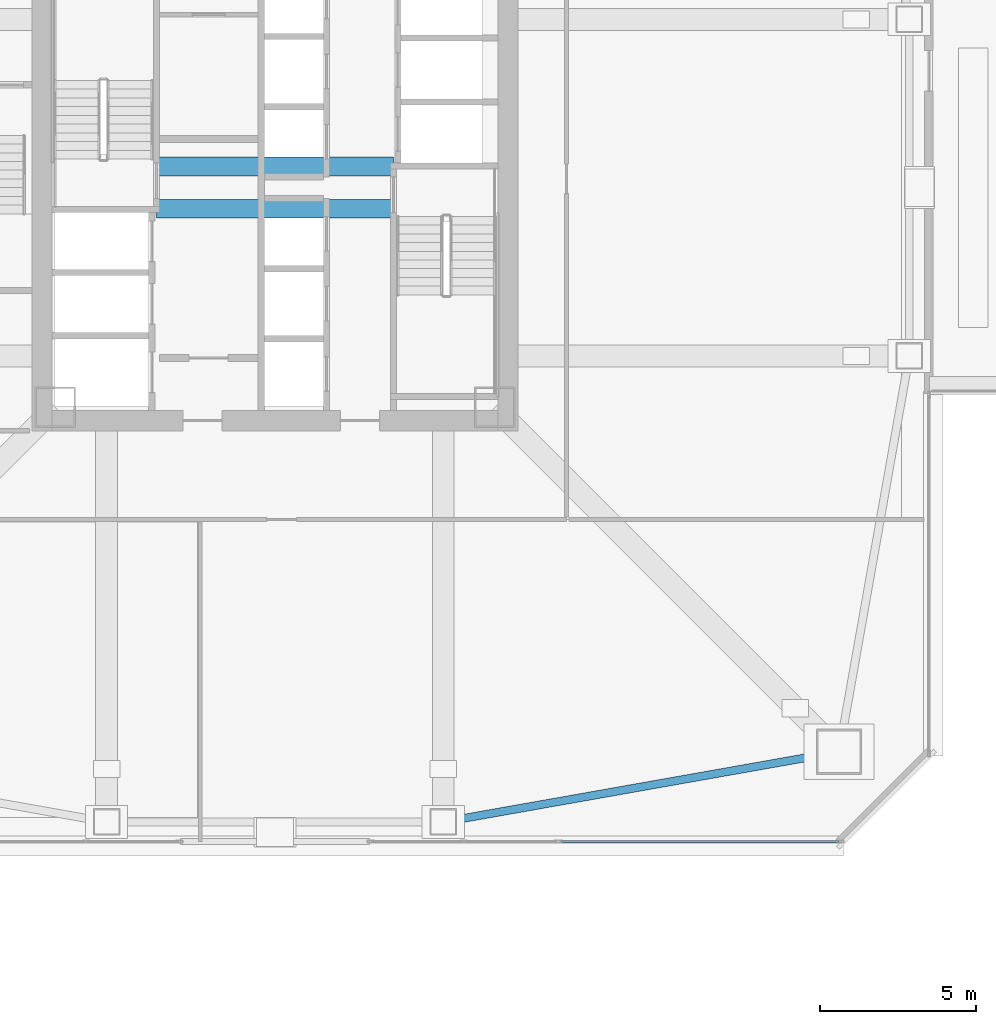
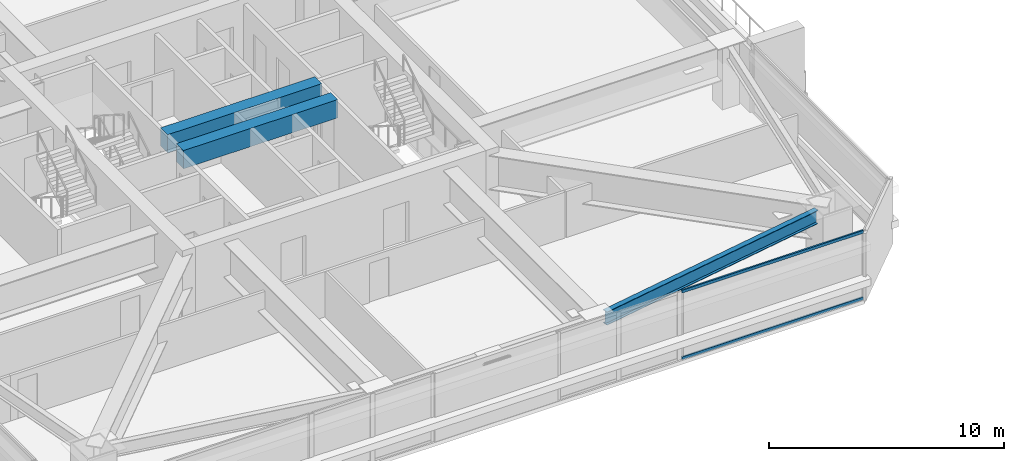
# One storey, part 7 of 49: 3 beams, 2 members, 1 element without a shape of its own.
"""IFC4 building model written with IfcOpenShell, lengths in metres."""

from ifc_helpers import new_model, si_unit, direction, frame, origin, origin_2d, place, context, subcontext, project, spatial, rectangle, hollow_rectangle, i_section, extrude, material, material_profile, profile_set, type_object, element, aggregate, save


model = new_model("IFC4")

# Units and contexts
model_context = context("Model", 3, precision=1e-05, world=origin(), true_north=direction((0.0, 1.0)))
body_context = subcontext(model_context, "Body", "Model", "MODEL_VIEW")
ifc_project = project(units=[si_unit("LENGTHUNIT", "METRE"), si_unit("AREAUNIT", "SQUARE_METRE"), si_unit("VOLUMEUNIT", "CUBIC_METRE"), si_unit("PLANEANGLEUNIT", "RADIAN"), si_unit("MASSUNIT", "GRAM", prefix="KILO")], contexts=[model_context])

# Site, building, storey
site_placement = place(None, origin())
site = spatial("IfcSite", under=ifc_project, at=site_placement, CompositionType="ELEMENT")
building_placement = place(site_placement, origin())
building = spatial("IfcBuilding", under=site, at=building_placement, Name="Tashvorn Skyway Center", CompositionType="ELEMENT")
storey_placement = place(building_placement, frame((0.0, 0.0, 106.25)))
storey = spatial("IfcBuildingStorey", under=building, at=storey_placement, Name="L28", CompositionType="ELEMENT", Elevation=106.25)

# Beams
ifc_material_1 = material(Name="Concrete C60/75", Category="concrete")
ifc_material_profile_1 = material_profile(ifc_material_1, rectangle(XDim=0.60009765625, YDim=0.949951171875, at=origin_2d()), Name="RCB600x950")
ifc_profile_set_1 = profile_set([ifc_material_profile_1], Name="Concrete C60/75")
beam_type_1 = type_object("IfcBeamType", Name="BM-LINTEL-RCB600x950", PredefinedType="LINTEL", material=ifc_profile_set_1)
for number, where, z_axis, x_axis, name in (
    (1, (38.199951171875, 32.679931640625, 2.77490234375), (1.0, 0.0, 0.0), (0.0, 1.0, 0.0), "Tower 1 L28 Core Coupling Beam CN"),
    (2, (38.199951171875, 31.320068359375, 2.77490234375), (1.0, 0.0, 0.0), (0.0, 1.0, 0.0), "Tower 1 L28 Core Coupling Beam CS"),
):
    element("IfcBeam", number, at=place(storey_placement, frame(where, z_axis=z_axis, x_axis=x_axis)), inside=storey, type_object=beam_type_1, Name=name, PredefinedType="LINTEL", context=body_context, shape_type="SweptSolid", body=[
        extrude(rectangle(XDim=0.60009765625, YDim=0.949951171875, at=origin_2d()), origin(), (0.0, 0.0, 1.0), 7.60009765625),
    ])
ifc_material_2 = material(Name="Steel ASTM A992 Grade 50", Category="steel")
ifc_material_profile_2 = material_profile(ifc_material_2, i_section(OverallWidth=0.256103515625, OverallDepth=0.693115234375, WebThickness=0.014404296875, FlangeThickness=0.023681640625, at=origin_2d()), Name="W27X114")
ifc_profile_set_2 = profile_set([ifc_material_profile_2], Name="Steel ASTM A992 Grade 50")
beam_type_2 = type_object("IfcBeamType", Name="BM-SPANDREL-W27X114", PredefinedType="SPANDREL", material=ifc_profile_set_2)
beam_placement = place(storey_placement, frame((47.8134765625, 11.723388671875, 2.903564453125), z_axis=(0.98466816531, 0.174437966698, 0.0), x_axis=(-0.174437966698, 0.98466816531, 0.0)))
element("IfcBeam", 3, at=beam_placement, inside=storey, type_object=beam_type_2, Name="Tower 1 L28 Spandrel Beam 03", PredefinedType="SPANDREL", context=body_context, shape_type="SweptSolid", body=[
    extrude(i_section(OverallWidth=0.256103515625, OverallDepth=0.693115234375, WebThickness=0.014404296875, FlangeThickness=0.023681640625, at=origin_2d()), origin(), (0.0, 0.0, 1.0), 11.7578125),
])

# Curtain wall, members
ifc_material_3 = material(Name="Thermally broken bronze-anodized aluminium 6063-T6", Category="aluminium")
curtain_wall_type = type_object("IfcCurtainWallType", Name="CW-CW-Z2", PredefinedType="NOTDEFINED", material=ifc_material_3)
curtain_wall_placement = place(storey_placement, origin())
curtain_wall = element("IfcCurtainWall", 4, at=curtain_wall_placement, inside=storey, type_object=curtain_wall_type, Name="Tower 1 L28 South Unitised Curtain Wall Glazing Group 1", PredefinedType="NOTDEFINED")
ifc_material_profile_3 = material_profile(ifc_material_3, hollow_rectangle(XDim=0.080078125, YDim=0.14990234375, WallThickness=0.00439453125, at=origin_2d()), Name="ALU-TRAN-80x150")
ifc_profile_set_3 = profile_set([ifc_material_profile_3], Name="Thermally broken bronze-anodized aluminium 6063-T6")
member_type = type_object("IfcMemberType", Name="CWT-CW-Z2", PredefinedType="USERDEFINED", material=ifc_profile_set_3)
member_1_placement = place(storey_placement, frame((60.10009765625, 11.02001953125, 0.0400390625), z_axis=(-1.0, 0.0, 0.0), x_axis=(0.0, -1.0, 0.0)))
member_1 = element("IfcMember", 5, at=member_1_placement, type_object=member_type, Name="CW-Z2 transom 1.1", ObjectType="TRANSOM", PredefinedType="USERDEFINED", context=body_context, shape_type="SweptSolid", body=[
    extrude(hollow_rectangle(XDim=0.080078125, YDim=0.14990234375, WallThickness=0.00439453125, at=origin_2d()), origin(), (0.0, 0.0, 1.0), 8.93017578125),
])
member_2_placement = place(storey_placement, frame((60.10009765625, 11.02001953125, 3.510009765625), z_axis=(-1.0, 0.0, 0.0), x_axis=(0.0, -1.0, 0.0)))
member_2 = element("IfcMember", 6, at=member_2_placement, type_object=member_type, Name="CW-Z2 transom 1.2", ObjectType="TRANSOM", PredefinedType="USERDEFINED", context=body_context, shape_type="SweptSolid", body=[
    extrude(hollow_rectangle(XDim=0.080078125, YDim=0.14990234375, WallThickness=0.00439453125, at=origin_2d()), origin(), (0.0, 0.0, 1.0), 8.93017578125),
])
aggregate(curtain_wall, [member_1, member_2])

save(model, "model.ifc")
